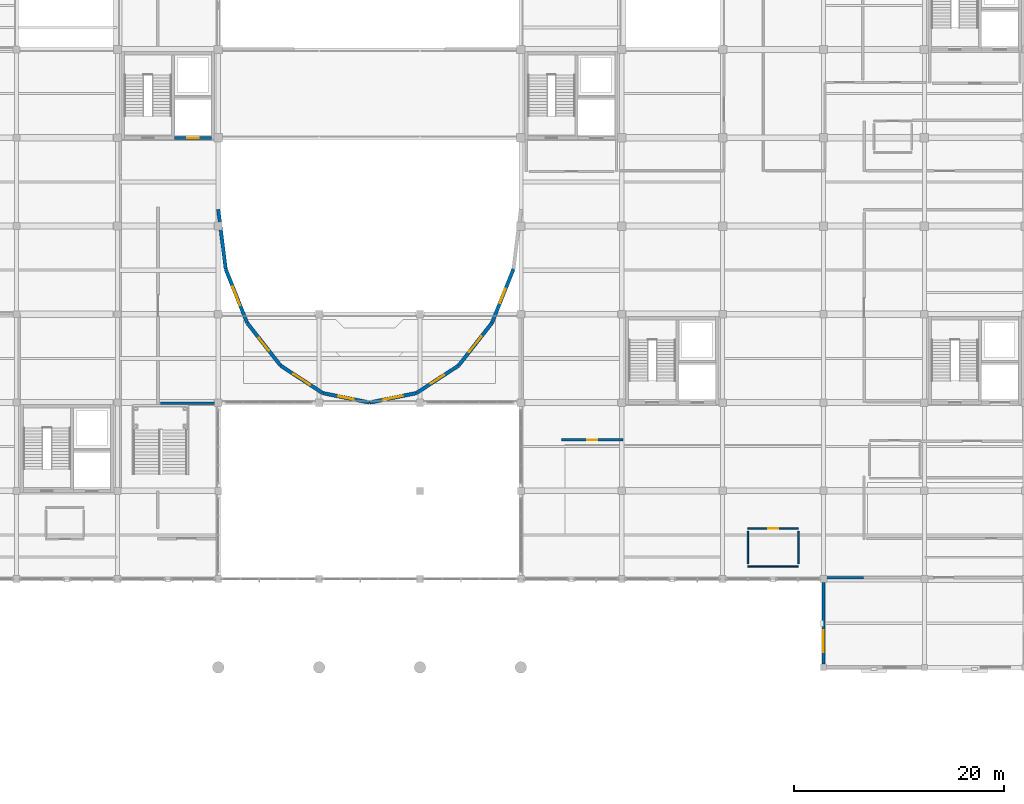
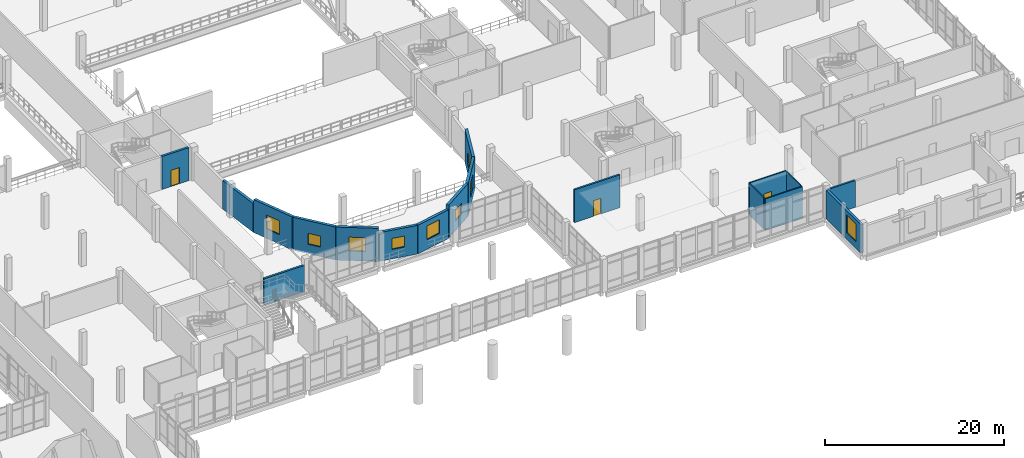
# One storey, part 89 of 102: 18 walls, 9 windows, 3 doors, 12 openings.
"""IFC4 building model written with IfcOpenShell, lengths in metres."""

from ifc_helpers import new_model, si_unit, direction, frame, frame_2d, origin, place, context, subcontext, project, spatial, rectangle, extrude, material, layer, layer_set, type_object, element, fill, save


model = new_model("IFC4")

# Units and contexts
model_context = context("Model", 3, precision=1e-05, world=origin(), true_north=direction((0.0, 1.0)))
body_context = subcontext(model_context, "Body", "Model", "MODEL_VIEW")
ifc_project = project(units=[si_unit("LENGTHUNIT", "METRE"), si_unit("AREAUNIT", "SQUARE_METRE"), si_unit("VOLUMEUNIT", "CUBIC_METRE"), si_unit("PLANEANGLEUNIT", "RADIAN"), si_unit("MASSUNIT", "GRAM", prefix="KILO")], contexts=[model_context])

# Site, building, storey
site_placement = place(None, origin())
site = spatial("IfcSite", under=ifc_project, at=site_placement, CompositionType="ELEMENT")
building_placement = place(site_placement, origin())
building = spatial("IfcBuilding", under=site, at=building_placement, Name="Lornevale Opera House", CompositionType="ELEMENT")
storey_placement = place(building_placement, frame((0.0, 0.0, 5.39990234375)))
storey = spatial("IfcBuildingStorey", under=building, at=storey_placement, Name="L02", CompositionType="ELEMENT", Elevation=5.39990234375)

# Wall
ifc_material_1 = material(Name="Acoustic Mineral-Core Gypsum Partition", Category="gypsum")
ifc_layer_1 = layer(ifc_material_1, 0.25)
ifc_layer_set_1 = layer_set([ifc_layer_1], Name="Acoustic Mineral-Core Gypsum Partition")
wall_type_1 = type_object("IfcWallType", Name="Auditorium Box-in-Box Liner 250", PredefinedType="SOLIDWALL", material=ifc_layer_set_1)
wall_1_placement = place(storey_placement, frame((61.7099609375, 33.5400390625, 0.0), z_axis=(0.0, 0.0, 1.0), x_axis=(1.0, 0.0, 0.0)))
element("IfcWall", 1, at=wall_1_placement, inside=storey, type_object=wall_type_1, Name="L02 Partition WL-INT-0797", PredefinedType="SOLIDWALL", context=body_context, shape_type="SweptSolid", body=[
    extrude(rectangle(XDim=5.27001953125, YDim=0.25, at=frame_2d((2.635009765625, 0.0))), origin(), (0.0, 0.0, 1.0), 3.570068359375),
])

# Wall, opening, window
ifc_material_2 = material(Name="Queenston Buff Limestone Ashlar Masonry (25 MPa)", Category="masonry")
ifc_layer_2 = layer(ifc_material_2, 0.324951171875)
ifc_layer_set_2 = layer_set([ifc_layer_2], Name="Queenston Buff Limestone Ashlar Masonry (25 MPa)")
wall_type_2 = type_object("IfcWallType", Name="Backstage Limestone Facade Wall 325", PredefinedType="SOLIDWALL", material=ifc_layer_set_2)
wall_2_placement = place(storey_placement, frame((124.800048828125, 8.699951171875, 0.0), z_axis=(0.0, 0.0, 1.0), x_axis=(0.0, 1.0, 0.0)))
wall_2 = element("IfcWall", 2, at=wall_2_placement, inside=storey, type_object=wall_type_2, Name="Backstage Limestone Facade Wall 325 WL-EXT-0210", PredefinedType="SOLIDWALL", context=body_context, shape_type="SweptSolid", body=[
    extrude(rectangle(XDim=7.775146484375, YDim=0.324951171875, at=frame_2d((3.8876953125, 0.0))), origin(), (0.0, 0.0, 1.0), 3.91015625),
])
opening_1_placement = place(wall_2_placement, frame((1.126953125, 0.0, 0.89990234375)))
opening_1 = element("IfcOpeningElement", 3, at=opening_1_placement, cuts=wall_2, Name="Opening WN-T04", PredefinedType="OPENING", context=body_context, shape_type="SweptSolid", body=[
    extrude(rectangle(XDim=2.10009765625, YDim=2.39990234375, at=frame_2d((1.050048828125, 1.199951171875))), frame((0.0, 0.17236328125, 0.0), z_axis=(0.0, -1.0, 0.0), x_axis=(1.0, 0.0, 0.0)), (0.0, 0.0, 1.0), 0.344970703125),
])
ifc_material_3 = material(Name="Triple Low-E Insulated Glazing", Category="glass")
ifc_layer_3 = layer(ifc_material_3, 0.06005859375)
ifc_layer_set_3 = layer_set([ifc_layer_3], Name="Triple Low-E Insulated Glazing")
window_type_1 = type_object("IfcWindowType", Name="Punched Deep-Reveal Window 2100x2400", PartitioningType="NOTDEFINED", PredefinedType="WINDOW", material=ifc_layer_set_3)
window_1_placement = place(opening_1_placement, origin())
window_1 = element("IfcWindow", 4, at=window_1_placement, inside=storey, type_object=window_type_1, Name="Punched Deep-Reveal Window 2100x2400 WN-0057", OverallHeight=2.39990234375, OverallWidth=2.10009765625, PartitioningType="SINGLE_PANEL", PredefinedType="WINDOW", context=body_context, shape_type="SweptSolid", body=[
    extrude(rectangle(XDim=2.10009765625, YDim=2.39990234375, at=frame_2d((1.050048828125, 1.199951171875))), frame((0.0, 0.030029296875, 0.0), z_axis=(0.0, -1.0, 0.0), x_axis=(1.0, 0.0, 0.0)), (0.0, 0.0, 1.0), 0.06005859375),
])
fill(opening_1, window_1)

# Wall, opening, door
ifc_material_4 = material(Name="Concrete 40 MPa (CSA A23.1 C-1)", Category="concrete")
ifc_layer_4 = layer(ifc_material_4, 0.280029296875)
ifc_layer_set_4 = layer_set([ifc_layer_4], Name="Concrete 40 MPa (CSA A23.1 C-1)")
wall_type_3 = type_object("IfcWallType", Name="Elevator Shaft Wall 280", PredefinedType="SHEAR", material=ifc_layer_set_4)
wall_3_placement = place(storey_placement, frame((63.0400390625, 58.800048828125, 0.0), z_axis=(0.0, 0.0, 1.0), x_axis=(1.0, 0.0, 0.0)))
wall_3 = element("IfcWall", 5, at=wall_3_placement, inside=storey, type_object=wall_type_3, Name="Auditorium West Tier Core Elevator Shaft Wall 280 WL-COR-0170", PredefinedType="SHEAR", context=body_context, shape_type="SweptSolid", body=[
    extrude(rectangle(XDim=3.5, YDim=0.280029296875, at=frame_2d((1.75, 0.0))), origin(), (0.0, 0.0, 1.0), 4.52001953125),
])
opening_2_placement = place(wall_3_placement, frame((1.2099609375, 0.0, 0.0)))
opening_2 = element("IfcOpeningElement", 6, at=opening_2_placement, cuts=wall_3, Name="Opening DR-T25", PredefinedType="OPENING", context=body_context, shape_type="SweptSolid", body=[
    extrude(rectangle(XDim=1.10009765625, YDim=2.199951171875, at=frame_2d((0.550048828125, 1.10009765625))), frame((0.0, 0.14990234375, 0.0), z_axis=(0.0, -1.0, 0.0), x_axis=(1.0, 0.0, 0.0)), (0.0, 0.0, 1.0), 0.300048828125),
])
ifc_material_5 = material(Name="Painted Hollow Metal Door Steel", Category="steel")
ifc_layer_5 = layer(ifc_material_5, 2.199951171875)
ifc_layer_set_5 = layer_set([ifc_layer_5], Name="Painted Hollow Metal Door Steel")
door_type_1 = type_object("IfcDoorType", Name="Passenger Lift Landing Door 1100x2200", OperationType="NOTDEFINED", PredefinedType="DOOR", material=ifc_layer_set_5)
door_1_placement = place(opening_2_placement, origin())
door_1 = element("IfcDoor", 7, at=door_1_placement, inside=storey, type_object=door_type_1, Name="L-P4 Landing Door L02", OperationType="SLIDING_TO_LEFT", OverallHeight=2.199951171875, OverallWidth=1.10009765625, PredefinedType="DOOR", context=body_context, shape_type="SweptSolid", body=[
    extrude(rectangle(XDim=1.10009765625, YDim=2.199951171875, at=frame_2d((0.550048828125, 1.10009765625))), frame((0.0, 0.02490234375, 0.0), z_axis=(0.0, -1.0, 0.0), x_axis=(1.0, 0.0, 0.0)), (0.0, 0.0, 1.0), 0.050048828125),
])
fill(opening_2, door_1)

# Wall
ifc_material_6 = material(Name="Credit Valley Sandstone Ashlar Masonry (25 MPa)", Category="masonry")
ifc_layer_6 = layer(ifc_material_6, 0.340087890625)
ifc_layer_set_6 = layer_set([ifc_layer_6], Name="Credit Valley Sandstone Ashlar Masonry (25 MPa)")
wall_type_4 = type_object("IfcWallType", Name="Polychrome Drum Cavity Wall 340", PredefinedType="SOLIDWALL", material=ifc_layer_set_6)
wall_4_placement = place(storey_placement, frame((67.201416015625, 51.988037109375, 0.0), z_axis=(0.0, 0.0, 1.0), x_axis=(0.123065633968, -0.992398533723, 0.0)))
element("IfcWall", 8, at=wall_4_placement, inside=storey, type_object=wall_type_4, Name="Auditorium Horseshoe Drum Wall WL-DRM-0337", PredefinedType="SOLIDWALL", context=body_context, shape_type="SweptSolid", body=[
    extrude(rectangle(XDim=5.70556640625, YDim=0.340087890625, at=frame_2d((2.852783203125, 0.0))), origin(), (0.0, 0.0, 1.0), 3.920166015625),
])

# Wall, opening, window
wall_5_placement = place(storey_placement, frame((67.909423828125, 46.302978515625, 0.0), z_axis=(0.0, 0.0, 1.0), x_axis=(0.370349189815, -0.928892608219, 0.0)))
wall_5 = element("IfcWall", 9, at=wall_5_placement, inside=storey, type_object=wall_type_4, Name="Auditorium Horseshoe Drum Wall WL-DRM-0338", PredefinedType="SOLIDWALL", context=body_context, shape_type="SweptSolid", body=[
    extrude(rectangle(XDim=5.497802734375, YDim=0.340087890625, at=frame_2d((2.7490234375, 0.0))), origin(), (0.0, 0.0, 1.0), 4.52001953125),
])
opening_3_placement = place(wall_5_placement, frame((1.799072265625, 0.0, 1.300048828125)))
opening_3 = element("IfcOpeningElement", 10, at=opening_3_placement, cuts=wall_5, Name="Opening WN-T18", PredefinedType="OPENING", context=body_context, shape_type="SweptSolid", body=[
    extrude(rectangle(XDim=1.89990234375, YDim=1.89990234375, at=frame_2d((0.949951171875, 0.949951171875))), frame((0.0, 0.179931640625, 0.0), z_axis=(0.0, -1.0, 0.0), x_axis=(1.0, 0.0, 0.0)), (0.0, 0.0, 1.0), 0.360107421875),
])
ifc_layer_7 = layer(ifc_material_3, 0.06005859375)
ifc_layer_set_7 = layer_set([ifc_layer_7], Name="Triple Low-E Insulated Glazing")
window_type_2 = type_object("IfcWindowType", Name="Postmodern Drum Ocular Window 1900x1900", PartitioningType="NOTDEFINED", PredefinedType="WINDOW", material=ifc_layer_set_7)
window_2_placement = place(opening_3_placement, origin())
window_2 = element("IfcWindow", 11, at=window_2_placement, inside=storey, type_object=window_type_2, Name="Postmodern Drum Ocular Window 1900x1900 WN-0144", OverallHeight=1.89990234375, OverallWidth=1.89990234375, PartitioningType="SINGLE_PANEL", PredefinedType="WINDOW", context=body_context, shape_type="SweptSolid", body=[
    extrude(rectangle(XDim=1.89990234375, YDim=1.89990234375, at=frame_2d((0.949951171875, 0.949951171875))), frame((0.0, 0.030029296875, 0.0), z_axis=(0.0, -1.0, 0.0), x_axis=(1.0, 0.0, 0.0)), (0.0, 0.0, 1.0), 0.06005859375),
])
fill(opening_3, window_2)

wall_6_placement = place(storey_placement, frame((69.95751953125, 41.175537109375, 0.0), z_axis=(0.0, 0.0, 1.0), x_axis=(0.616309541044, -0.787503999747, 0.0)))
wall_6 = element("IfcWall", 12, at=wall_6_placement, inside=storey, type_object=wall_type_4, Name="Auditorium Horseshoe Drum Wall WL-DRM-0339", PredefinedType="SOLIDWALL", context=body_context, shape_type="SweptSolid", body=[
    extrude(rectangle(XDim=5.145263671875, YDim=0.340087890625, at=frame_2d((2.57275390625, 0.0))), origin(), (0.0, 0.0, 1.0), 4.52001953125),
])
opening_4_placement = place(wall_6_placement, frame((1.822998046875, 0.0, 1.300048828125)))
opening_4 = element("IfcOpeningElement", 13, at=opening_4_placement, cuts=wall_6, Name="Opening WN-T17", PredefinedType="OPENING", context=body_context, shape_type="SweptSolid", body=[
    extrude(rectangle(XDim=1.5, YDim=1.5, at=frame_2d((0.75, 0.75))), frame((0.0, 0.179931640625, 0.0), z_axis=(0.0, -1.0, 0.0), x_axis=(1.0, 0.0, 0.0)), (0.0, 0.0, 1.0), 0.360107421875),
])
ifc_layer_8 = layer(ifc_material_3, 0.06005859375)
ifc_layer_set_8 = layer_set([ifc_layer_8], Name="Triple Low-E Insulated Glazing")
window_type_3 = type_object("IfcWindowType", Name="Postmodern Drum Ocular Window 1500x1500", PartitioningType="NOTDEFINED", PredefinedType="WINDOW", material=ifc_layer_set_8)
window_3_placement = place(opening_4_placement, origin())
window_3 = element("IfcWindow", 14, at=window_3_placement, inside=storey, type_object=window_type_3, Name="Postmodern Drum Ocular Window 1500x1500 WN-0145", OverallHeight=1.5, OverallWidth=1.5, PartitioningType="SINGLE_PANEL", PredefinedType="WINDOW", context=body_context, shape_type="SweptSolid", body=[
    extrude(rectangle(XDim=1.5, YDim=1.5, at=frame_2d((0.75, 0.75))), frame((0.0, 0.030029296875, 0.0), z_axis=(0.0, -1.0, 0.0), x_axis=(1.0, 0.0, 0.0)), (0.0, 0.0, 1.0), 0.06005859375),
])
fill(opening_4, window_3)

wall_7_placement = place(storey_placement, frame((73.14599609375, 37.107421875, 0.0), z_axis=(0.0, 0.0, 1.0), x_axis=(0.838077071432, -0.545551851194, 0.0)))
wall_7 = element("IfcWall", 15, at=wall_7_placement, inside=storey, type_object=wall_type_4, Name="Auditorium Horseshoe Drum Wall WL-DRM-0340", PredefinedType="SOLIDWALL", context=body_context, shape_type="SweptSolid", body=[
    extrude(rectangle(XDim=4.765625, YDim=0.340087890625, at=frame_2d((2.3828125, 0.0))), origin(), (0.0, 0.0, 1.0), 4.52001953125),
])
opening_5_placement = place(wall_7_placement, frame((1.43310546875, 0.0, 1.300048828125)))
opening_5 = element("IfcOpeningElement", 16, at=opening_5_placement, cuts=wall_7, Name="Opening WN-T18", PredefinedType="OPENING", context=body_context, shape_type="SweptSolid", body=[
    extrude(rectangle(XDim=1.89990234375, YDim=1.89990234375, at=frame_2d((0.949951171875, 0.949951171875))), frame((0.0, 0.179931640625, 0.0), z_axis=(0.0, -1.0, 0.0), x_axis=(1.0, 0.0, 0.0)), (0.0, 0.0, 1.0), 0.360107421875),
])
window_4_placement = place(opening_5_placement, origin())
window_4 = element("IfcWindow", 17, at=window_4_placement, inside=storey, type_object=window_type_2, Name="Postmodern Drum Ocular Window 1900x1900 WN-0146", OverallHeight=1.89990234375, OverallWidth=1.89990234375, PartitioningType="SINGLE_PANEL", PredefinedType="WINDOW", context=body_context, shape_type="SweptSolid", body=[
    extrude(rectangle(XDim=1.89990234375, YDim=1.89990234375, at=frame_2d((0.949951171875, 0.949951171875))), frame((0.0, 0.030029296875, 0.0), z_axis=(0.0, -1.0, 0.0), x_axis=(1.0, 0.0, 0.0)), (0.0, 0.0, 1.0), 0.06005859375),
])
fill(opening_5, window_4)

wall_8_placement = place(storey_placement, frame((77.161865234375, 34.49853515625, 0.0), z_axis=(0.0, 0.0, 1.0), x_axis=(0.980110057719, -0.198454717148, 0.0)))
wall_8 = element("IfcWall", 18, at=wall_8_placement, inside=storey, type_object=wall_type_4, Name="Auditorium Horseshoe Drum Wall WL-DRM-0341", PredefinedType="SOLIDWALL", context=body_context, shape_type="SweptSolid", body=[
    extrude(rectangle(XDim=4.51611328125, YDim=0.340087890625, at=frame_2d((2.258056640625, 0.0))), origin(), (0.0, 0.0, 1.0), 3.920166015625),
])
opening_6_placement = place(wall_8_placement, frame((1.508056640625, 0.0, 1.300048828125)))
opening_6 = element("IfcOpeningElement", 19, at=opening_6_placement, cuts=wall_8, Name="Opening WN-T17", PredefinedType="OPENING", context=body_context, shape_type="SweptSolid", body=[
    extrude(rectangle(XDim=1.5, YDim=1.5, at=frame_2d((0.75, 0.75))), frame((0.0, 0.179931640625, 0.0), z_axis=(0.0, -1.0, 0.0), x_axis=(1.0, 0.0, 0.0)), (0.0, 0.0, 1.0), 0.360107421875),
])
window_5_placement = place(opening_6_placement, origin())
window_5 = element("IfcWindow", 20, at=window_5_placement, inside=storey, type_object=window_type_3, Name="Postmodern Drum Ocular Window 1500x1500 WN-0147", OverallHeight=1.5, OverallWidth=1.5, PartitioningType="SINGLE_PANEL", PredefinedType="WINDOW", context=body_context, shape_type="SweptSolid", body=[
    extrude(rectangle(XDim=1.5, YDim=1.5, at=frame_2d((0.75, 0.75))), frame((0.0, 0.030029296875, 0.0), z_axis=(0.0, -1.0, 0.0), x_axis=(1.0, 0.0, 0.0)), (0.0, 0.0, 1.0), 0.06005859375),
])
fill(opening_6, window_5)

wall_9_placement = place(storey_placement, frame((81.61181640625, 33.602294921875, 0.0), z_axis=(0.0, 0.0, 1.0), x_axis=(0.980110057719, 0.198454717148, 0.0)))
wall_9 = element("IfcWall", 21, at=wall_9_placement, inside=storey, type_object=wall_type_4, Name="Auditorium Horseshoe Drum Wall WL-DRM-0342", PredefinedType="SOLIDWALL", context=body_context, shape_type="SweptSolid", body=[
    extrude(rectangle(XDim=4.51611328125, YDim=0.340087890625, at=frame_2d((2.258056640625, 0.0))), origin(), (0.0, 0.0, 1.0), 3.920166015625),
])
opening_7_placement = place(wall_9_placement, frame((1.30810546875, 0.0, 1.300048828125)))
opening_7 = element("IfcOpeningElement", 22, at=opening_7_placement, cuts=wall_9, Name="Opening WN-T18", PredefinedType="OPENING", context=body_context, shape_type="SweptSolid", body=[
    extrude(rectangle(XDim=1.89990234375, YDim=1.89990234375, at=frame_2d((0.949951171875, 0.949951171875))), frame((0.0, 0.179931640625, 0.0), z_axis=(0.0, -1.0, 0.0), x_axis=(1.0, 0.0, 0.0)), (0.0, 0.0, 1.0), 0.360107421875),
])
window_6_placement = place(opening_7_placement, origin())
window_6 = element("IfcWindow", 23, at=window_6_placement, inside=storey, type_object=window_type_2, Name="Postmodern Drum Ocular Window 1900x1900 WN-0148", OverallHeight=1.89990234375, OverallWidth=1.89990234375, PartitioningType="SINGLE_PANEL", PredefinedType="WINDOW", context=body_context, shape_type="SweptSolid", body=[
    extrude(rectangle(XDim=1.89990234375, YDim=1.89990234375, at=frame_2d((0.949951171875, 0.949951171875))), frame((0.0, 0.030029296875, 0.0), z_axis=(0.0, -1.0, 0.0), x_axis=(1.0, 0.0, 0.0)), (0.0, 0.0, 1.0), 0.06005859375),
])
fill(opening_7, window_6)

wall_10_placement = place(storey_placement, frame((86.06005859375, 34.507568359375, 0.0), z_axis=(0.0, 0.0, 1.0), x_axis=(0.838077071432, 0.545551851194, 0.0)))
wall_10 = element("IfcWall", 24, at=wall_10_placement, inside=storey, type_object=wall_type_4, Name="Auditorium Horseshoe Drum Wall WL-DRM-0343", PredefinedType="SOLIDWALL", context=body_context, shape_type="SweptSolid", body=[
    extrude(rectangle(XDim=4.765625, YDim=0.340087890625, at=frame_2d((2.3828125, 0.0))), origin(), (0.0, 0.0, 1.0), 4.52001953125),
])
opening_8_placement = place(wall_10_placement, frame((1.633056640625, 0.0, 1.300048828125)))
opening_8 = element("IfcOpeningElement", 25, at=opening_8_placement, cuts=wall_10, Name="Opening WN-T17", PredefinedType="OPENING", context=body_context, shape_type="SweptSolid", body=[
    extrude(rectangle(XDim=1.5, YDim=1.5, at=frame_2d((0.75, 0.75))), frame((0.0, 0.179931640625, 0.0), z_axis=(0.0, -1.0, 0.0), x_axis=(1.0, 0.0, 0.0)), (0.0, 0.0, 1.0), 0.360107421875),
])
window_7_placement = place(opening_8_placement, origin())
window_7 = element("IfcWindow", 26, at=window_7_placement, inside=storey, type_object=window_type_3, Name="Postmodern Drum Ocular Window 1500x1500 WN-0149", OverallHeight=1.5, OverallWidth=1.5, PartitioningType="SINGLE_PANEL", PredefinedType="WINDOW", context=body_context, shape_type="SweptSolid", body=[
    extrude(rectangle(XDim=1.5, YDim=1.5, at=frame_2d((0.75, 0.75))), frame((0.0, 0.030029296875, 0.0), z_axis=(0.0, -1.0, 0.0), x_axis=(1.0, 0.0, 0.0)), (0.0, 0.0, 1.0), 0.06005859375),
])
fill(opening_8, window_7)

wall_11_placement = place(storey_placement, frame((90.0712890625, 37.12353515625, 0.0), z_axis=(0.0, 0.0, 1.0), x_axis=(0.616338965583, 0.787480970884, 0.0)))
wall_11 = element("IfcWall", 27, at=wall_11_placement, inside=storey, type_object=wall_type_4, Name="Auditorium Horseshoe Drum Wall WL-DRM-0344", PredefinedType="SOLIDWALL", context=body_context, shape_type="SweptSolid", body=[
    extrude(rectangle(XDim=5.1455078125, YDim=0.340087890625, at=frame_2d((2.57275390625, 0.0))), origin(), (0.0, 0.0, 1.0), 4.52001953125),
])
opening_9_placement = place(wall_11_placement, frame((1.623046875, 0.0, 1.300048828125)))
opening_9 = element("IfcOpeningElement", 28, at=opening_9_placement, cuts=wall_11, Name="Opening WN-T18", PredefinedType="OPENING", context=body_context, shape_type="SweptSolid", body=[
    extrude(rectangle(XDim=1.89990234375, YDim=1.89990234375, at=frame_2d((0.949951171875, 0.949951171875))), frame((0.0, 0.179931640625, 0.0), z_axis=(0.0, -1.0, 0.0), x_axis=(1.0, 0.0, 0.0)), (0.0, 0.0, 1.0), 0.360107421875),
])
window_8_placement = place(opening_9_placement, origin())
window_8 = element("IfcWindow", 29, at=window_8_placement, inside=storey, type_object=window_type_2, Name="Postmodern Drum Ocular Window 1900x1900 WN-0150", OverallHeight=1.89990234375, OverallWidth=1.89990234375, PartitioningType="SINGLE_PANEL", PredefinedType="WINDOW", context=body_context, shape_type="SweptSolid", body=[
    extrude(rectangle(XDim=1.89990234375, YDim=1.89990234375, at=frame_2d((0.949951171875, 0.949951171875))), frame((0.0, 0.030029296875, 0.0), z_axis=(0.0, -1.0, 0.0), x_axis=(1.0, 0.0, 0.0)), (0.0, 0.0, 1.0), 0.06005859375),
])
fill(opening_9, window_8)

wall_12_placement = place(storey_placement, frame((93.25439453125, 41.196044921875, 0.0), z_axis=(0.0, 0.0, 1.0), x_axis=(0.370349189815, 0.928892608219, 0.0)))
wall_12 = element("IfcWall", 30, at=wall_12_placement, inside=storey, type_object=wall_type_4, Name="Auditorium Horseshoe Drum Wall WL-DRM-0345", PredefinedType="SOLIDWALL", context=body_context, shape_type="SweptSolid", body=[
    extrude(rectangle(XDim=5.497802734375, YDim=0.340087890625, at=frame_2d((2.7490234375, 0.0))), origin(), (0.0, 0.0, 1.0), 4.52001953125),
])
opening_10_placement = place(wall_12_placement, frame((1.9990234375, 0.0, 1.300048828125)))
opening_10 = element("IfcOpeningElement", 31, at=opening_10_placement, cuts=wall_12, Name="Opening WN-T17", PredefinedType="OPENING", context=body_context, shape_type="SweptSolid", body=[
    extrude(rectangle(XDim=1.5, YDim=1.5, at=frame_2d((0.75, 0.75))), frame((0.0, 0.179931640625, 0.0), z_axis=(0.0, -1.0, 0.0), x_axis=(1.0, 0.0, 0.0)), (0.0, 0.0, 1.0), 0.360107421875),
])
window_9_placement = place(opening_10_placement, origin())
window_9 = element("IfcWindow", 32, at=window_9_placement, inside=storey, type_object=window_type_3, Name="Postmodern Drum Ocular Window 1500x1500 WN-0151", OverallHeight=1.5, OverallWidth=1.5, PartitioningType="SINGLE_PANEL", PredefinedType="WINDOW", context=body_context, shape_type="SweptSolid", body=[
    extrude(rectangle(XDim=1.5, YDim=1.5, at=frame_2d((0.75, 0.75))), frame((0.0, 0.030029296875, 0.0), z_axis=(0.0, -1.0, 0.0), x_axis=(1.0, 0.0, 0.0)), (0.0, 0.0, 1.0), 0.06005859375),
])
fill(opening_10, window_9)

# Wall
ifc_layer_9 = layer(ifc_material_1, 0.22998046875)
ifc_layer_set_9 = layer_set([ifc_layer_9], Name="Acoustic Mineral-Core Gypsum Partition")
wall_type_5 = type_object("IfcWallType", Name="Rehearsal Studio Acoustic Wall 230", PredefinedType="SOLIDWALL", material=ifc_layer_set_9)
wall_13_placement = place(storey_placement, frame((125.0, 16.93994140625, 0.0), z_axis=(0.0, 0.0, 1.0), x_axis=(1.0, 0.0, 0.0)))
element("IfcWall", 33, at=wall_13_placement, inside=storey, type_object=wall_type_5, Name="L02 Partition WL-INT-0793", PredefinedType="SOLIDWALL", context=body_context, shape_type="SweptSolid", body=[
    extrude(rectangle(XDim=3.60009765625, YDim=0.22998046875, at=frame_2d((1.800048828125, 0.0))), origin(), (0.0, 0.0, 1.0), 3.66015625),
])

# Wall, opening, door
wall_14_placement = place(storey_placement, frame((99.860107421875, 30.06005859375, 0.0), z_axis=(0.0, 0.0, 1.0), x_axis=(1.0, 0.0, 0.0)))
wall_14 = element("IfcWall", 34, at=wall_14_placement, inside=storey, type_object=wall_type_5, Name="L02 Partition WL-INT-0800", PredefinedType="SOLIDWALL", context=body_context, shape_type="SweptSolid", body=[
    extrude(rectangle(XDim=5.8798828125, YDim=0.22998046875, at=frame_2d((2.93994140625, 0.0))), origin(), (0.0, 0.0, 1.0), 4.489990234375),
])
opening_11_placement = place(wall_14_placement, frame((2.465087890625, 0.0, 0.0)))
opening_11 = element("IfcOpeningElement", 35, at=opening_11_placement, cuts=wall_14, Name="Opening DR-T19", PredefinedType="OPENING", context=body_context, shape_type="SweptSolid", body=[
    extrude(rectangle(XDim=0.949951171875, YDim=2.14990234375, at=frame_2d((0.47509765625, 1.074951171875))), frame((0.0, 0.125, 0.0), z_axis=(0.0, -1.0, 0.0), x_axis=(1.0, 0.0, 0.0)), (0.0, 0.0, 1.0), 0.25),
])
ifc_material_7 = material(Name="White Oak Acoustic Panelling", Category="wood")
ifc_layer_10 = layer(ifc_material_7, 2.14990234375)
ifc_layer_set_10 = layer_set([ifc_layer_10], Name="White Oak Acoustic Panelling")
door_type_2 = type_object("IfcDoorType", Name="Soloist Dressing Door L 950x2150", OperationType="NOTDEFINED", PredefinedType="DOOR", material=ifc_layer_set_10)
door_2_placement = place(opening_11_placement, origin())
door_2 = element("IfcDoor", 36, at=door_2_placement, inside=storey, type_object=door_type_2, Name="Parterre Winter-Garden Lounge East Door", OperationType="SINGLE_SWING_LEFT", OverallHeight=2.14990234375, OverallWidth=0.949951171875, PredefinedType="DOOR", context=body_context, shape_type="SweptSolid", body=[
    extrude(rectangle(XDim=0.949951171875, YDim=2.14990234375, at=frame_2d((0.47509765625, 1.074951171875))), frame((0.0, 0.02490234375, 0.0), z_axis=(0.0, -1.0, 0.0), x_axis=(1.0, 0.0, 0.0)), (0.0, 0.0, 1.0), 0.050048828125),
])
fill(opening_11, door_2)

# Wall
ifc_material_8 = material(Name="Moisture-Resistant Ceramic & Gypsum Partition", Category="gypsum")
ifc_layer_11 = layer(ifc_material_8, 0.139892578125)
ifc_layer_set_11 = layer_set([ifc_layer_11], Name="Moisture-Resistant Ceramic & Gypsum Partition")
wall_type_6 = type_object("IfcWallType", Name="Washroom Moisture Partition 140", PredefinedType="PARTITIONING", material=ifc_layer_set_11)
wall_15_placement = place(storey_placement, frame((117.60009765625, 18.0, 0.0), z_axis=(0.0, 0.0, 1.0), x_axis=(1.0, 0.0, 0.0)))
element("IfcWall", 37, at=wall_15_placement, inside=storey, type_object=wall_type_6, Name="Parterre Foyer Washroom East S Wall WL-INT-0468", PredefinedType="PARTITIONING", context=body_context, shape_type="SweptSolid", body=[
    extrude(rectangle(XDim=4.7998046875, YDim=0.139892578125, at=frame_2d((2.39990234375, 0.0))), origin(), (0.0, 0.0, 1.0), 4.320068359375),
])

# Wall, opening, door
wall_16_placement = place(storey_placement, frame((117.60009765625, 21.60009765625, 0.0), z_axis=(0.0, 0.0, 1.0), x_axis=(1.0, 0.0, 0.0)))
wall_16 = element("IfcWall", 38, at=wall_16_placement, inside=storey, type_object=wall_type_6, Name="Parterre Foyer Washroom East N Wall WL-INT-0469", PredefinedType="PARTITIONING", context=body_context, shape_type="SweptSolid", body=[
    extrude(rectangle(XDim=4.7998046875, YDim=0.139892578125, at=frame_2d((2.39990234375, 0.0))), origin(), (0.0, 0.0, 1.0), 4.320068359375),
])
opening_12_placement = place(wall_16_placement, frame((1.925048828125, 0.0, 0.0)))
opening_12 = element("IfcOpeningElement", 39, at=opening_12_placement, cuts=wall_16, Name="Opening DR-T22", PredefinedType="OPENING", context=body_context, shape_type="SweptSolid", body=[
    extrude(rectangle(XDim=0.949951171875, YDim=2.14990234375, at=frame_2d((0.47509765625, 1.074951171875))), frame((0.0, 0.079833984375, 0.0), z_axis=(0.0, -1.0, 0.0), x_axis=(1.0, 0.0, 0.0)), (0.0, 0.0, 1.0), 0.159912109375),
])
ifc_layer_12 = layer(ifc_material_7, 2.14990234375)
ifc_layer_set_12 = layer_set([ifc_layer_12], Name="White Oak Acoustic Panelling")
door_type_3 = type_object("IfcDoorType", Name="Washroom Door R 950x2150", OperationType="NOTDEFINED", PredefinedType="DOOR", material=ifc_layer_set_12)
door_3_placement = place(opening_12_placement, origin())
door_3 = element("IfcDoor", 40, at=door_3_placement, inside=storey, type_object=door_type_3, Name="Parterre Foyer Washroom East Door", OperationType="SINGLE_SWING_RIGHT", OverallHeight=2.14990234375, OverallWidth=0.949951171875, PredefinedType="DOOR", context=body_context, shape_type="SweptSolid", body=[
    extrude(rectangle(XDim=0.949951171875, YDim=2.14990234375, at=frame_2d((0.47509765625, 1.074951171875))), frame((0.0, 0.02490234375, 0.0), z_axis=(0.0, -1.0, 0.0), x_axis=(1.0, 0.0, 0.0)), (0.0, 0.0, 1.0), 0.050048828125),
])
fill(opening_12, door_3)

# Walls
for number, where, z_axis, x_axis, name in (
    (41, (117.60009765625, 18.25, 0.0), (0.0, 0.0, 1.0), (0.0, 1.0, 0.0), "Parterre Foyer Washroom East W Wall WL-INT-0470"),
    (42, (122.39990234375, 18.25, 0.0), (0.0, 0.0, 1.0), (0.0, 1.0, 0.0), "Parterre Foyer Washroom East E Wall WL-INT-0471"),
):
    element("IfcWall", number, at=place(storey_placement, frame(where, z_axis=z_axis, x_axis=x_axis)), inside=storey, type_object=wall_type_6, Name=name, PredefinedType="PARTITIONING", context=body_context, shape_type="SweptSolid", body=[
        extrude(rectangle(XDim=3.10009765625, YDim=0.139892578125, at=frame_2d((1.550048828125, 0.0))), origin(), (0.0, 0.0, 1.0), 4.320068359375),
    ])

save(model, "model.ifc")
